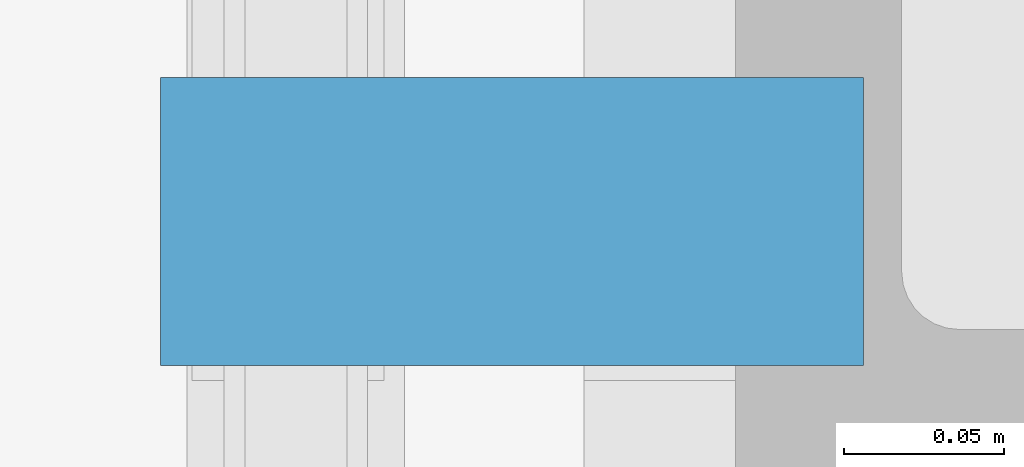
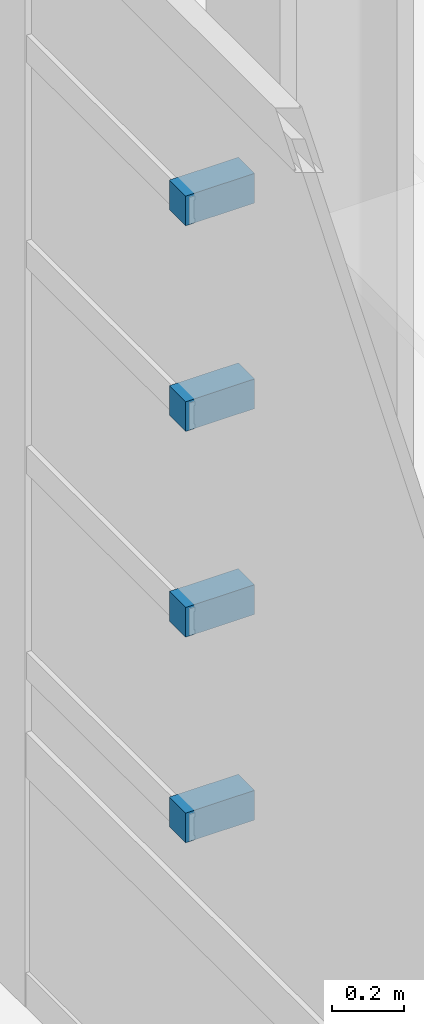
# One storey, part 32 of 37: 4 discrete accessories.
"""IFC4 building model written with IfcOpenShell, lengths in metres."""

from ifc_helpers import new_model, si_unit, direction, frame, origin, origin_2d, place, context, subcontext, project, spatial, rectangle, extrude, material, type_object, element, save


model = new_model("IFC4")

# Units and contexts
model_context = context("Model", 3, precision=1e-05, world=origin(), true_north=direction((0.0, 1.0)))
body_context = subcontext(model_context, "Body", "Model", "MODEL_VIEW")
ifc_project = project(units=[si_unit("LENGTHUNIT", "METRE"), si_unit("AREAUNIT", "SQUARE_METRE"), si_unit("VOLUMEUNIT", "CUBIC_METRE"), si_unit("PLANEANGLEUNIT", "RADIAN"), si_unit("MASSUNIT", "GRAM", prefix="KILO")], contexts=[model_context])

# Site, building, storey
site_placement = place(None, origin())
site = spatial("IfcSite", under=ifc_project, at=site_placement, CompositionType="ELEMENT")
building_placement = place(site_placement, origin())
building = spatial("IfcBuilding", under=site, at=building_placement, Name="Punatoya Terracotta Tower", CompositionType="ELEMENT")
storey_placement = place(building_placement, frame((0.0, 0.0, 192.449951171875)))
storey = spatial("IfcBuildingStorey", under=building, at=storey_placement, Name="L45", CompositionType="ELEMENT", Elevation=192.449951171875)

# Discrete accessories
ifc_material = material(Name="Steel S355", Category="steel")
discrete_accessory_type = type_object("IfcDiscreteAccessoryType", Name="ACC-BRK-220", PredefinedType="BRACKET", material=ifc_material)
for number, where, z_axis, x_axis, name in (
    (1, (-24.782470703125, -3.35009765625, 1.10009765625), (0.0, 0.0, 1.0), (0.0, 1.0, 0.0), "L45 Baguette Louvre Column Bracket BAG-L45-W-01"),
    (2, (-24.782470703125, -3.35009765625, 1.793212890625), (0.0, 0.0, 1.0), (0.0, 1.0, 0.0), "L45 Baguette Louvre Column Bracket BAG-L45-W-02"),
    (3, (-24.782470703125, -3.35009765625, 2.48681640625), (0.0, 0.0, 1.0), (0.0, 1.0, 0.0), "L45 Baguette Louvre Column Bracket BAG-L45-W-03"),
    (4, (-24.782470703125, -3.35009765625, 3.179931640625), (0.0, 0.0, 1.0), (0.0, 1.0, 0.0), "L45 Baguette Louvre Column Bracket BAG-L45-W-04"),
):
    element("IfcDiscreteAccessory", number, at=place(storey_placement, frame(where, z_axis=z_axis, x_axis=x_axis)), inside=storey, type_object=discrete_accessory_type, Name=name, PredefinedType="BRACKET", context=body_context, shape_type="SweptSolid", body=[
        extrude(rectangle(XDim=0.090087890625, YDim=0.219970703125, at=origin_2d()), origin(), (0.0, 0.0, 1.0), 0.10009765625),
    ])

save(model, "model.ifc")
